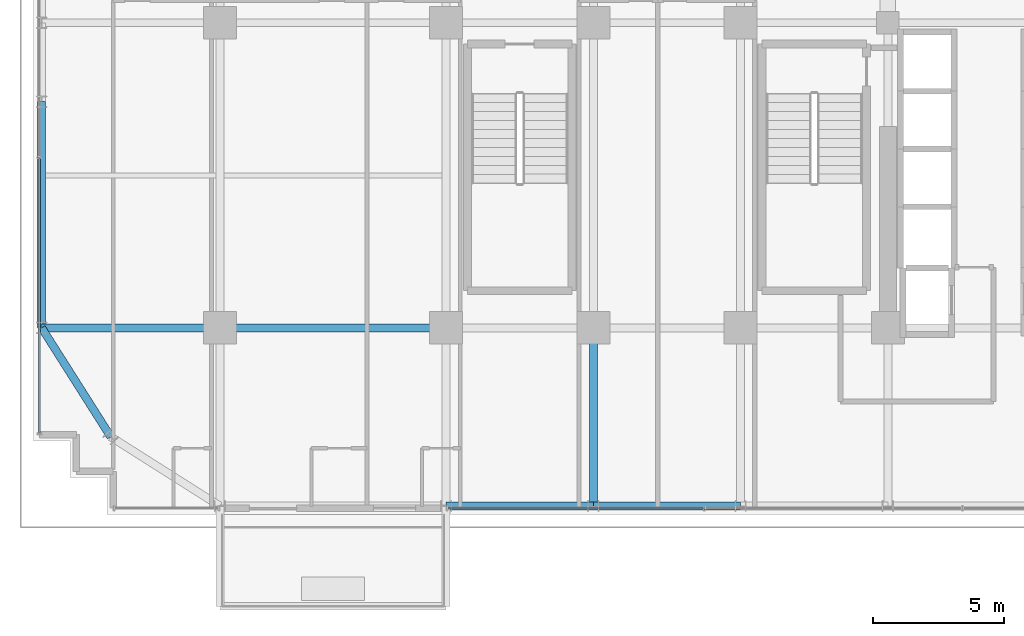
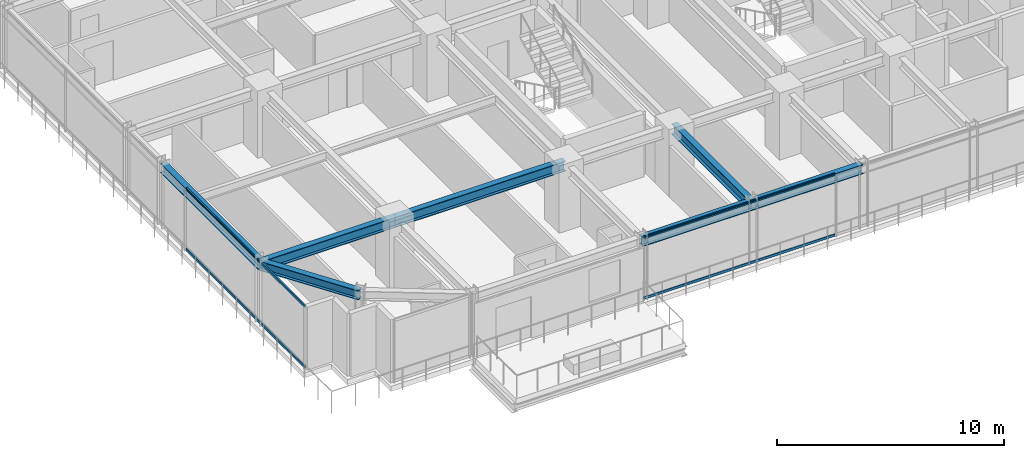
# One storey, part 4 of 34: 7 beams, 4 members, 2 elements without a shape of their own.
"""IFC4 building model written with IfcOpenShell, lengths in metres."""

from ifc_helpers import new_model, si_unit, direction, frame, origin, origin_2d, place, context, subcontext, project, spatial, hollow_rectangle, i_section, extrude, source, transform, mapped, material, material_profile, profile_set, type_object, element, aggregate, save


model = new_model("IFC4")

# Units and contexts
model_context = context("Model", 3, precision=1e-05, world=origin(), true_north=direction((0.0, 1.0)))
body_context = subcontext(model_context, "Body", "Model", "MODEL_VIEW")
ifc_project = project(units=[si_unit("LENGTHUNIT", "METRE"), si_unit("AREAUNIT", "SQUARE_METRE"), si_unit("VOLUMEUNIT", "CUBIC_METRE"), si_unit("PLANEANGLEUNIT", "RADIAN"), si_unit("MASSUNIT", "GRAM", prefix="KILO")], contexts=[model_context])

# Site, building, storey
site_placement = place(None, origin())
site = spatial("IfcSite", under=ifc_project, at=site_placement, CompositionType="ELEMENT")
building_placement = place(site_placement, origin())
building = spatial("IfcBuilding", under=site, at=building_placement, Name="Nahalor Promenade Grand Hotel", CompositionType="ELEMENT")
storey_placement = place(building_placement, frame((0.0, 0.0, 88.300048828125)))
storey = spatial("IfcBuildingStorey", under=building, at=storey_placement, Name="L21", CompositionType="ELEMENT", Elevation=88.300048828125)

# Beams
ifc_material_1 = material(Name="Steel S355JR", Category="steel")
ifc_material_profile_1 = material_profile(ifc_material_1, i_section(OverallWidth=0.3, OverallDepth=0.5, WebThickness=0.0145, FlangeThickness=0.028, at=origin_2d()), Name="HEB 500")
ifc_profile_set_1 = profile_set([ifc_material_profile_1], Name="Steel S355JR")
beam_type_1 = type_object("IfcBeamType", Name="Beam-Spandrel-HEB500", PredefinedType="SPANDREL", material=ifc_profile_set_1)
shared_shape_1 = source(origin(), body_context, "Body", "SweptSolid", [
    extrude(i_section(OverallWidth=0.3, OverallDepth=0.5, WebThickness=0.0145, FlangeThickness=0.028, at=origin_2d()), origin(), (0.0, 0.0, 1.0), 8.60009765625),
])
beam_1_placement = place(storey_placement, frame((-23.780029296875, -17.0, 3.1298828125), z_axis=(0.0, 1.0, 0.0), x_axis=(-1.0, 0.0, 0.0)))
element("IfcBeam", 1, at=beam_1_placement, inside=storey, type_object=beam_type_1, Name="BM-L21-SP-W-0", PredefinedType="SPANDREL", context=body_context, shape_type="MappedRepresentation", body=[
    mapped(shared_shape_1, transform((0.0, 0.0, 0.0), scale=1.0)),
])
shared_shape_2 = source(origin(), body_context, "Body", "SweptSolid", [
    extrude(i_section(OverallWidth=0.3, OverallDepth=0.5, WebThickness=0.0145, FlangeThickness=0.028, at=origin_2d()), origin(), (0.0, 0.0, 1.0), 5.599853515625),
])
beam_2_placement = place(storey_placement, frame((-8.39990234375, -23.780029296875, 3.1298828125), z_axis=(1.0, 0.0, 0.0), x_axis=(0.0, 1.0, 0.0)))
element("IfcBeam", 2, at=beam_2_placement, inside=storey, type_object=beam_type_1, Name="BM-L21-SP-S-1", PredefinedType="SPANDREL", context=body_context, shape_type="MappedRepresentation", body=[
    mapped(shared_shape_2, transform((0.0, 0.0, 0.0), scale=1.0)),
])
shared_shape_3 = source(origin(), body_context, "Body", "SweptSolid", [
    extrude(i_section(OverallWidth=0.3, OverallDepth=0.5, WebThickness=0.0145, FlangeThickness=0.028, at=origin_2d()), origin(), (0.0, 0.0, 1.0), 5.60009765625),
])
beam_3_placement = place(storey_placement, frame((-2.800048828125, -23.780029296875, 3.1298828125), z_axis=(1.0, 0.0, 0.0), x_axis=(0.0, 1.0, 0.0)))
element("IfcBeam", 3, at=beam_3_placement, inside=storey, type_object=beam_type_1, Name="BM-L21-SP-S-2", PredefinedType="SPANDREL", context=body_context, shape_type="MappedRepresentation", body=[
    mapped(shared_shape_3, transform((0.0, 0.0, 0.0), scale=1.0)),
])
shared_shape_4 = source(origin(), body_context, "Body", "SweptSolid", [
    extrude(i_section(OverallWidth=0.3, OverallDepth=0.5, WebThickness=0.0145, FlangeThickness=0.028, at=origin_2d()), origin(), (0.0, 0.0, 1.0), 4.9130859375),
])
beam_4_placement = place(storey_placement, frame((-21.14990234375, -21.14990234375, 3.1298828125), z_axis=(-0.535321591403, 0.844648325505, 0.0), x_axis=(-0.844648325505, -0.535321591403, 0.0)))
element("IfcBeam", 4, at=beam_4_placement, inside=storey, type_object=beam_type_1, Name="BM-L21-SPC-SW-2", PredefinedType="SPANDREL", context=body_context, shape_type="MappedRepresentation", body=[
    mapped(shared_shape_4, transform((0.0, 0.0, 0.0), scale=1.0)),
])
ifc_material_profile_2 = material_profile(ifc_material_1, i_section(OverallWidth=0.3, OverallDepth=0.55, WebThickness=0.015, FlangeThickness=0.029, at=origin_2d()), Name="HEB 550")
ifc_profile_set_2 = profile_set([ifc_material_profile_2], Name="Steel S355JR")
beam_type_2 = type_object("IfcBeamType", Name="Beam-Girder-HEB550", PredefinedType="BEAM", material=ifc_profile_set_2)
shared_shape_5 = source(origin(), body_context, "Body", "SweptSolid", [
    extrude(i_section(OverallWidth=0.3, OverallDepth=0.55, WebThickness=0.015, FlangeThickness=0.029, at=origin_2d()), origin(), (0.0, 0.0, 1.0), 6.780029296875),
])
for number, where, z_axis, x_axis, name in (
    (5, (-23.780029296875, -17.0, 3.10498046875), (1.0, 0.0, 0.0), (0.0, 1.0, 0.0), "BM-L21-GX-0-0"),
    (6, (-2.800048828125, -23.780029296875, 3.10498046875), (0.0, 1.0, 0.0), (-1.0, 0.0, 0.0), "BM-L21-GY-2-0"),
):
    element("IfcBeam", number, at=place(storey_placement, frame(where, z_axis=z_axis, x_axis=x_axis)), inside=storey, type_object=beam_type_2, Name=name, PredefinedType="BEAM", context=body_context, shape_type="MappedRepresentation", body=[
        mapped(shared_shape_5, transform((0.0, 0.0, 0.0), scale=1.0)),
    ])
shared_shape_6 = source(origin(), body_context, "Body", "SweptSolid", [
    extrude(i_section(OverallWidth=0.3, OverallDepth=0.55, WebThickness=0.015, FlangeThickness=0.029, at=origin_2d()), origin(), (0.0, 0.0, 1.0), 8.60009765625),
])
beam_5_placement = place(storey_placement, frame((-17.0, -17.0, 3.10498046875), z_axis=(1.0, 0.0, 0.0), x_axis=(0.0, 1.0, 0.0)))
element("IfcBeam", 7, at=beam_5_placement, inside=storey, type_object=beam_type_2, Name="BM-L21-GX-0-1", PredefinedType="BEAM", context=body_context, shape_type="MappedRepresentation", body=[
    mapped(shared_shape_6, transform((0.0, 0.0, 0.0), scale=1.0)),
])

# Curtain wall, members
ifc_material_2 = material(Name="Anodised Bronze Aluminium EN AW-6063 T6", Category="aluminium")
curtain_wall_type = type_object("IfcCurtainWallType", Name="CW2 Typical Hotel Flush Bronze Unitised Curtain Wall", PredefinedType="USERDEFINED", material=ifc_material_2)
curtain_wall_1_placement = place(storey_placement, origin())
curtain_wall_1 = element("IfcCurtainWall", 8, at=curtain_wall_1_placement, inside=storey, type_object=curtain_wall_type, Name="L21 Curtain Wall CW-L21-S-3", ObjectType="UNITISED_CURTAIN_WALL", PredefinedType="USERDEFINED")
ifc_material_profile_3 = material_profile(ifc_material_2, hollow_rectangle(XDim=0.065, YDim=0.13, WallThickness=0.004, at=origin_2d()), Name="CWT 65x130x4")
ifc_profile_set_3 = profile_set([ifc_material_profile_3], Name="Anodised Bronze Aluminium EN AW-6063 T6")
member_type = type_object("IfcMemberType", Name="CWT2 Typical Bronze Transom 65x130", PredefinedType="USERDEFINED", material=ifc_profile_set_3)
shared_shape_7 = source(origin(), body_context, "Body", "SweptSolid", [
    extrude(hollow_rectangle(XDim=0.065, YDim=0.13, WallThickness=0.004, at=origin_2d()), origin(), (0.0, 0.0, 1.0), 9.722412109375),
])
member_1_placement = place(storey_placement, frame((-8.3349609375, -23.860107421875, 0.06494140625), z_axis=(1.0, 0.0, 0.0), x_axis=(0.0, 1.0, 0.0)))
member_1 = element("IfcMember", 9, at=member_1_placement, type_object=member_type, Name="CW-L21-S-3 Transom 0-0", ObjectType="TRANSOM", PredefinedType="USERDEFINED", context=body_context, shape_type="MappedRepresentation", body=[
    mapped(shared_shape_7, transform((0.0, 0.0, 0.0), scale=1.0)),
])
member_2_placement = place(storey_placement, frame((-8.3349609375, -23.860107421875, 3.31494140625), z_axis=(1.0, 0.0, 0.0), x_axis=(0.0, 1.0, 0.0)))
member_2 = element("IfcMember", 10, at=member_2_placement, type_object=member_type, Name="CW-L21-S-3 Transom 0-1", ObjectType="TRANSOM", PredefinedType="USERDEFINED", context=body_context, shape_type="MappedRepresentation", body=[
    mapped(shared_shape_7, transform((0.0, 0.0, 0.0), scale=1.0)),
])
aggregate(curtain_wall_1, [member_1, member_2])

curtain_wall_2_placement = place(storey_placement, origin())
curtain_wall_2 = element("IfcCurtainWall", 11, at=curtain_wall_2_placement, inside=storey, type_object=curtain_wall_type, Name="L21 Curtain Wall CW-L21-W-1", ObjectType="UNITISED_CURTAIN_WALL", PredefinedType="USERDEFINED")
shared_shape_8 = source(origin(), body_context, "Body", "SweptSolid", [
    extrude(hollow_rectangle(XDim=0.065, YDim=0.13, WallThickness=0.004, at=origin_2d()), origin(), (0.0, 0.0, 1.0), 10.4326171875),
])
member_3_placement = place(storey_placement, frame((-23.860107421875, -20.9951171875, 0.06494140625), z_axis=(0.0, 1.0, 0.0), x_axis=(-1.0, 0.0, 0.0)))
member_3 = element("IfcMember", 12, at=member_3_placement, type_object=member_type, Name="CW-L21-W-1 Transom 0-0", ObjectType="TRANSOM", PredefinedType="USERDEFINED", context=body_context, shape_type="MappedRepresentation", body=[
    mapped(shared_shape_8, transform((0.0, 0.0, 0.0), scale=1.0)),
])
member_4_placement = place(storey_placement, frame((-23.860107421875, -20.9951171875, 3.31494140625), z_axis=(0.0, 1.0, 0.0), x_axis=(-1.0, 0.0, 0.0)))
member_4 = element("IfcMember", 13, at=member_4_placement, type_object=member_type, Name="CW-L21-W-1 Transom 0-1", ObjectType="TRANSOM", PredefinedType="USERDEFINED", context=body_context, shape_type="MappedRepresentation", body=[
    mapped(shared_shape_8, transform((0.0, 0.0, 0.0), scale=1.0)),
])
aggregate(curtain_wall_2, [member_3, member_4])

save(model, "model.ifc")
